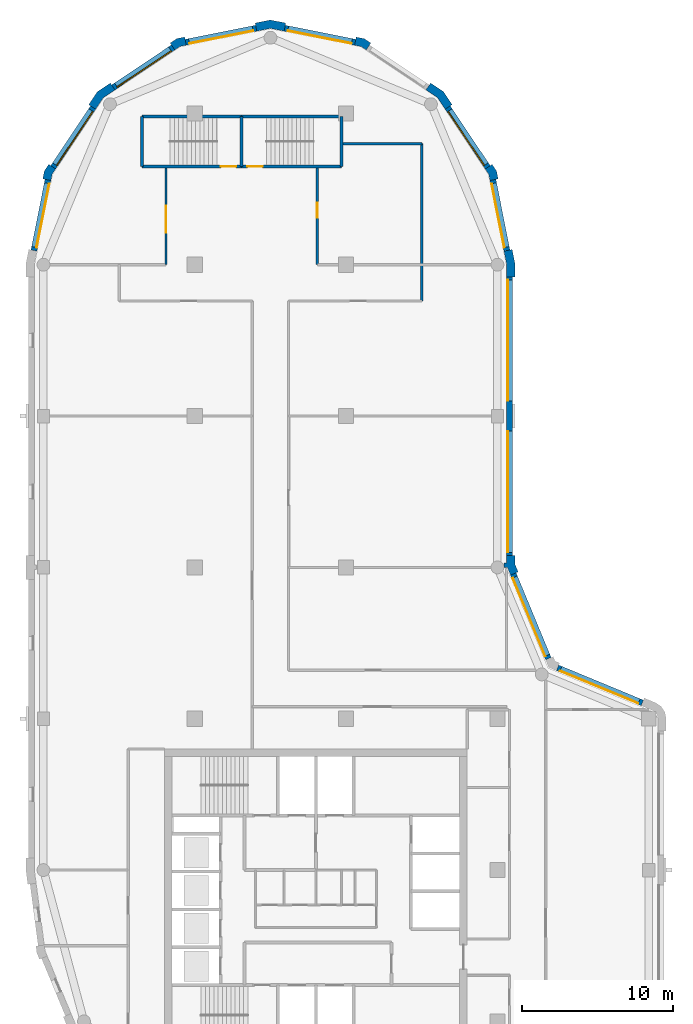
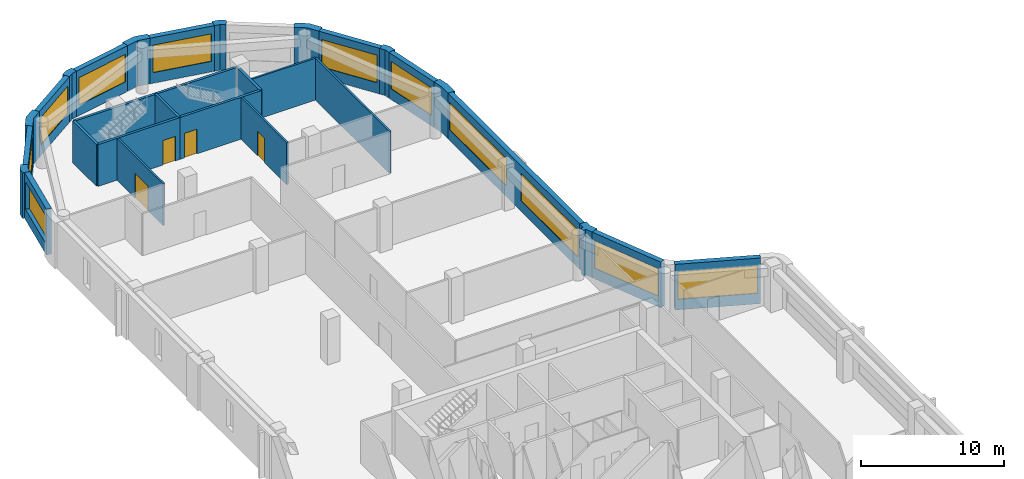
# One storey, part 5 of 8: 30 walls, 11 windows, 4 doors, 15 openings.
"""IFC4 building model written with IfcOpenShell, lengths in metres."""

from ifc_helpers import new_model, si_unit, direction, frame, frame_2d, origin, place, context, subcontext, project, spatial, polyline, rectangle, outline, extrude, material, layer, layer_set, type_object, element, fill, save


model = new_model("IFC4")

# Units and contexts
model_context = context("Model", 3, precision=1e-05, world=origin(), true_north=direction((0.0, 1.0)))
body_context = subcontext(model_context, "Body", "Model", "MODEL_VIEW")
ifc_project = project(units=[si_unit("LENGTHUNIT", "METRE"), si_unit("AREAUNIT", "SQUARE_METRE"), si_unit("VOLUMEUNIT", "CUBIC_METRE"), si_unit("PLANEANGLEUNIT", "RADIAN"), si_unit("MASSUNIT", "GRAM", prefix="KILO")], contexts=[model_context])

# Site, building, storey
site_placement = place(None, origin())
site = spatial("IfcSite", under=ifc_project, at=site_placement, CompositionType="ELEMENT")
building_placement = place(site_placement, origin())
building = spatial("IfcBuilding", under=site, at=building_placement, Name="Qaws Garden Tower", CompositionType="ELEMENT")
storey_placement = place(building_placement, frame((0.0, 0.0, 302.10009765625)))
storey = spatial("IfcBuildingStorey", under=building, at=storey_placement, Name="L73", CompositionType="ELEMENT", Elevation=302.10009765625)

# Wall, opening, window
ifc_material_1 = material(Name="Clay facing brick masonry", Category="masonry")
ifc_layer_1 = layer(ifc_material_1, 0.39990234375)
ifc_layer_set_1 = layer_set([ifc_layer_1], Name="Clay facing brick masonry")
wall_type_1 = type_object("IfcWallType", Name="Brick infill wall 400", PredefinedType="SOLIDWALL", material=ifc_layer_set_1)
wall_1_placement = place(storey_placement, frame((39.56689453125, 31.04541015625, 0.0), z_axis=(0.0, 0.0, 1.0), x_axis=(-0.923891000409, 0.382655745237, 0.0)))
wall_1 = element("IfcWall", 1, at=wall_1_placement, inside=storey, type_object=wall_type_1, Name="E-L73-infill-05", PredefinedType="SOLIDWALL", context=body_context, shape_type="SweptSolid", body=[
    extrude(rectangle(XDim=6.053466796875, YDim=0.39990234375, at=frame_2d((3.02685546875, 0.0))), origin(), (0.0, 0.0, 1.0), 3.89990234375),
])
opening_1_placement = place(wall_1_placement, frame((0.226806640625, 0.0, 0.89990234375)))
opening_1 = element("IfcOpeningElement", 2, at=opening_1_placement, cuts=wall_1, Name="Opening W04", PredefinedType="OPENING", context=body_context, shape_type="SweptSolid", body=[
    extrude(rectangle(XDim=5.60009765625, YDim=2.35009765625, at=frame_2d((2.800048828125, 1.175048828125))), frame((0.0, 0.2099609375, 0.0), z_axis=(0.0, -1.0, 0.0), x_axis=(1.0, 0.0, 0.0)), (0.0, 0.0, 1.0), 0.419921875),
])
ifc_material_2 = material(Name="Aluminium framed window, clear glazing", Category="aluminium")
window_type_1 = type_object("IfcWindowType", Name="Ribbon window 5600 x 2350", PartitioningType="DOUBLE_PANEL_VERTICAL", PredefinedType="WINDOW", material=ifc_material_2)
window_1_placement = place(opening_1_placement, origin())
window_1 = element("IfcWindow", 3, at=window_1_placement, inside=storey, type_object=window_type_1, Name="E-L73-window-05-0", OverallHeight=2.35009765625, OverallWidth=5.60009765625, PartitioningType="SINGLE_PANEL", PredefinedType="WINDOW", context=body_context, shape_type="SweptSolid", body=[
    extrude(rectangle(XDim=5.60009765625, YDim=2.35009765625, at=frame_2d((2.800048828125, 1.175048828125))), frame((0.0, 0.159912109375, 0.0), z_axis=(0.0, -1.0, 0.0), x_axis=(1.0, 0.0, 0.0)), (0.0, 0.0, 1.0), 0.06005859375),
])
fill(opening_1, window_1)

wall_2_placement = place(storey_placement, frame((33.36181640625, 33.97412109375, 0.0), z_axis=(0.0, 0.0, 1.0), x_axis=(-0.382655745237, 0.923891000409, 0.0)))
wall_2 = element("IfcWall", 4, at=wall_2_placement, inside=storey, type_object=wall_type_1, Name="E-L73-infill-06", PredefinedType="SOLIDWALL", context=body_context, shape_type="SweptSolid", body=[
    extrude(rectangle(XDim=6.053466796875, YDim=0.39990234375, at=frame_2d((3.02685546875, 0.0))), origin(), (0.0, 0.0, 1.0), 3.89990234375),
])
opening_2_placement = place(wall_2_placement, frame((0.226806640625, 0.0, 0.89990234375)))
opening_2 = element("IfcOpeningElement", 5, at=opening_2_placement, cuts=wall_2, Name="Opening W04", PredefinedType="OPENING", context=body_context, shape_type="SweptSolid", body=[
    extrude(rectangle(XDim=5.60009765625, YDim=2.35009765625, at=frame_2d((2.800048828125, 1.175048828125))), frame((0.0, 0.2099609375, 0.0), z_axis=(0.0, -1.0, 0.0), x_axis=(1.0, 0.0, 0.0)), (0.0, 0.0, 1.0), 0.419921875),
])
window_2_placement = place(opening_2_placement, origin())
window_2 = element("IfcWindow", 6, at=window_2_placement, inside=storey, type_object=window_type_1, Name="E-L73-window-06-0", OverallHeight=2.35009765625, OverallWidth=5.60009765625, PartitioningType="SINGLE_PANEL", PredefinedType="WINDOW", context=body_context, shape_type="SweptSolid", body=[
    extrude(rectangle(XDim=5.60009765625, YDim=2.35009765625, at=frame_2d((2.800048828125, 1.175048828125))), frame((0.0, 0.159912109375, 0.0), z_axis=(0.0, -1.0, 0.0), x_axis=(1.0, 0.0, 0.0)), (0.0, 0.0, 1.0), 0.06005859375),
])
fill(opening_2, window_2)

# Wall, openings, windows
wall_3_placement = place(storey_placement, frame((30.800048828125, 40.800048828125, 0.0), z_axis=(0.0, 0.0, 1.0), x_axis=(0.0, 1.0, 0.0)))
wall_3 = element("IfcWall", 7, at=wall_3_placement, inside=storey, type_object=wall_type_1, Name="E-L73-infill-07", PredefinedType="SOLIDWALL", context=body_context, shape_type="SweptSolid", body=[
    extrude(rectangle(XDim=18.39990234375, YDim=0.39990234375, at=frame_2d((9.199951171875, 0.0))), origin(), (0.0, 0.0, 1.0), 3.89990234375),
])
opening_3_placement = place(wall_3_placement, frame((0.199951171875, 0.0, 0.89990234375)))
opening_3 = element("IfcOpeningElement", 8, at=opening_3_placement, cuts=wall_3, Name="Opening W01", PredefinedType="OPENING", context=body_context, shape_type="SweptSolid", body=[
    extrude(rectangle(XDim=8.0, YDim=2.35009765625, at=frame_2d((4.0, 1.175048828125))), frame((0.0, 0.2099609375, 0.0), z_axis=(0.0, -1.0, 0.0), x_axis=(1.0, 0.0, 0.0)), (0.0, 0.0, 1.0), 0.419921875),
])
opening_4_placement = place(wall_3_placement, frame((10.199951171875, 0.0, 0.89990234375)))
opening_4 = element("IfcOpeningElement", 9, at=opening_4_placement, cuts=wall_3, Name="Opening W01", PredefinedType="OPENING", context=body_context, shape_type="SweptSolid", body=[
    extrude(rectangle(XDim=8.0, YDim=2.35009765625, at=frame_2d((4.0, 1.175048828125))), frame((0.0, 0.2099609375, 0.0), z_axis=(0.0, -1.0, 0.0), x_axis=(1.0, 0.0, 0.0)), (0.0, 0.0, 1.0), 0.419921875),
])
ifc_material_3 = material(Name="Aluminium framed window, clear glazing", Category="aluminium")
window_type_2 = type_object("IfcWindowType", Name="Ribbon window 8000 x 2350", PartitioningType="DOUBLE_PANEL_VERTICAL", PredefinedType="WINDOW", material=ifc_material_3)
window_3_placement = place(opening_3_placement, origin())
window_3 = element("IfcWindow", 10, at=window_3_placement, inside=storey, type_object=window_type_2, Name="E-L73-window-07-0", OverallHeight=2.35009765625, OverallWidth=8.0, PartitioningType="SINGLE_PANEL", PredefinedType="WINDOW", context=body_context, shape_type="SweptSolid", body=[
    extrude(rectangle(XDim=8.0, YDim=2.35009765625, at=frame_2d((4.0, 1.175048828125))), frame((0.0, 0.159912109375, 0.0), z_axis=(0.0, -1.0, 0.0), x_axis=(1.0, 0.0, 0.0)), (0.0, 0.0, 1.0), 0.06005859375),
])
fill(opening_3, window_3)
window_4_placement = place(opening_4_placement, origin())
window_4 = element("IfcWindow", 11, at=window_4_placement, inside=storey, type_object=window_type_2, Name="E-L73-window-08-0", OverallHeight=2.35009765625, OverallWidth=8.0, PartitioningType="SINGLE_PANEL", PredefinedType="WINDOW", context=body_context, shape_type="SweptSolid", body=[
    extrude(rectangle(XDim=8.0, YDim=2.35009765625, at=frame_2d((4.0, 1.175048828125))), frame((0.0, 0.159912109375, 0.0), z_axis=(0.0, -1.0, 0.0), x_axis=(1.0, 0.0, 0.0)), (0.0, 0.0, 1.0), 0.06005859375),
])
fill(opening_4, window_4)

# Wall, opening, window
wall_4_placement = place(storey_placement, frame((30.628662109375, 60.940673828125, 0.0), z_axis=(0.0, 0.0, 1.0), x_axis=(-0.195098533057, 0.98078364709, 0.0)))
wall_4 = element("IfcWall", 12, at=wall_4_placement, inside=storey, type_object=wall_type_1, Name="E-L73-infill-09", PredefinedType="SOLIDWALL", context=body_context, shape_type="SweptSolid", body=[
    extrude(rectangle(XDim=4.752685546875, YDim=0.39990234375, at=frame_2d((2.37646484375, 0.0))), origin(), (0.0, 0.0, 1.0), 3.89990234375),
])
opening_5_placement = place(wall_4_placement, frame((0.226318359375, 0.0, 0.89990234375)))
opening_5 = element("IfcOpeningElement", 13, at=opening_5_placement, cuts=wall_4, Name="Opening W06", PredefinedType="OPENING", context=body_context, shape_type="SweptSolid", body=[
    extrude(rectangle(XDim=4.300048828125, YDim=2.35009765625, at=frame_2d((2.14990234375, 1.175048828125))), frame((0.0, 0.2099609375, 0.0), z_axis=(0.0, -1.0, 0.0), x_axis=(1.0, 0.0, 0.0)), (0.0, 0.0, 1.0), 0.419921875),
])
ifc_material_4 = material(Name="Aluminium framed window, clear glazing", Category="aluminium")
window_type_3 = type_object("IfcWindowType", Name="Ribbon window 4300 x 2350", PartitioningType="DOUBLE_PANEL_VERTICAL", PredefinedType="WINDOW", material=ifc_material_4)
window_5_placement = place(opening_5_placement, origin())
window_5 = element("IfcWindow", 14, at=window_5_placement, inside=storey, type_object=window_type_3, Name="E-L73-window-09-0", OverallHeight=2.35009765625, OverallWidth=4.300048828125, PartitioningType="SINGLE_PANEL", PredefinedType="WINDOW", context=body_context, shape_type="SweptSolid", body=[
    extrude(rectangle(XDim=4.300048828125, YDim=2.35009765625, at=frame_2d((2.14990234375, 1.175048828125))), frame((0.0, 0.159912109375, 0.0), z_axis=(0.0, -1.0, 0.0), x_axis=(1.0, 0.0, 0.0)), (0.0, 0.0, 1.0), 0.06005859375),
])
fill(opening_5, window_5)

wall_5_placement = place(storey_placement, frame((29.356689453125, 66.43408203125, 0.0), z_axis=(0.0, 0.0, 1.0), x_axis=(-0.555541552266, 0.831488775454, 0.0)))
wall_5 = element("IfcWall", 15, at=wall_5_placement, inside=storey, type_object=wall_type_1, Name="E-L73-infill-10", PredefinedType="SOLIDWALL", context=body_context, shape_type="SweptSolid", body=[
    extrude(rectangle(XDim=4.752685546875, YDim=0.39990234375, at=frame_2d((2.37646484375, 0.0))), origin(), (0.0, 0.0, 1.0), 3.89990234375),
])
opening_6_placement = place(wall_5_placement, frame((0.226318359375, 0.0, 0.89990234375)))
opening_6 = element("IfcOpeningElement", 16, at=opening_6_placement, cuts=wall_5, Name="Opening W06", PredefinedType="OPENING", context=body_context, shape_type="SweptSolid", body=[
    extrude(rectangle(XDim=4.300048828125, YDim=2.35009765625, at=frame_2d((2.14990234375, 1.175048828125))), frame((0.0, 0.2099609375, 0.0), z_axis=(0.0, -1.0, 0.0), x_axis=(1.0, 0.0, 0.0)), (0.0, 0.0, 1.0), 0.419921875),
])
window_6_placement = place(opening_6_placement, origin())
window_6 = element("IfcWindow", 17, at=window_6_placement, inside=storey, type_object=window_type_3, Name="E-L73-window-10-0", OverallHeight=2.35009765625, OverallWidth=4.300048828125, PartitioningType="SINGLE_PANEL", PredefinedType="WINDOW", context=body_context, shape_type="SweptSolid", body=[
    extrude(rectangle(XDim=4.300048828125, YDim=2.35009765625, at=frame_2d((2.14990234375, 1.175048828125))), frame((0.0, 0.159912109375, 0.0), z_axis=(0.0, -1.0, 0.0), x_axis=(1.0, 0.0, 0.0)), (0.0, 0.0, 1.0), 0.06005859375),
])
fill(opening_6, window_6)

wall_6_placement = place(storey_placement, frame((20.60205078125, 74.701416015625, 0.0), z_axis=(0.0, 0.0, 1.0), x_axis=(-0.98078364709, 0.195098533057, 0.0)))
wall_6 = element("IfcWall", 18, at=wall_6_placement, inside=storey, type_object=wall_type_1, Name="E-L73-infill-12", PredefinedType="SOLIDWALL", context=body_context, shape_type="SweptSolid", body=[
    extrude(rectangle(XDim=4.752685546875, YDim=0.39990234375, at=frame_2d((2.37646484375, 0.0))), origin(), (0.0, 0.0, 1.0), 3.89990234375),
])
opening_7_placement = place(wall_6_placement, frame((0.226318359375, 0.0, 0.89990234375)))
opening_7 = element("IfcOpeningElement", 19, at=opening_7_placement, cuts=wall_6, Name="Opening W06", PredefinedType="OPENING", context=body_context, shape_type="SweptSolid", body=[
    extrude(rectangle(XDim=4.300048828125, YDim=2.35009765625, at=frame_2d((2.14990234375, 1.175048828125))), frame((0.0, 0.2099609375, 0.0), z_axis=(0.0, -1.0, 0.0), x_axis=(1.0, 0.0, 0.0)), (0.0, 0.0, 1.0), 0.419921875),
])
window_7_placement = place(opening_7_placement, origin())
window_7 = element("IfcWindow", 20, at=window_7_placement, inside=storey, type_object=window_type_3, Name="E-L73-window-12-0", OverallHeight=2.35009765625, OverallWidth=4.300048828125, PartitioningType="SINGLE_PANEL", PredefinedType="WINDOW", context=body_context, shape_type="SweptSolid", body=[
    extrude(rectangle(XDim=4.300048828125, YDim=2.35009765625, at=frame_2d((2.14990234375, 1.175048828125))), frame((0.0, 0.159912109375, 0.0), z_axis=(0.0, -1.0, 0.0), x_axis=(1.0, 0.0, 0.0)), (0.0, 0.0, 1.0), 0.06005859375),
])
fill(opening_7, window_7)

wall_7_placement = place(storey_placement, frame((14.059326171875, 75.628662109375, 0.0), z_axis=(0.0, 0.0, 1.0), x_axis=(-0.98078364709, -0.195098533057, 0.0)))
wall_7 = element("IfcWall", 21, at=wall_7_placement, inside=storey, type_object=wall_type_1, Name="E-L73-infill-13", PredefinedType="SOLIDWALL", context=body_context, shape_type="SweptSolid", body=[
    extrude(rectangle(XDim=4.752685546875, YDim=0.39990234375, at=frame_2d((2.37646484375, 0.0))), origin(), (0.0, 0.0, 1.0), 3.89990234375),
])
opening_8_placement = place(wall_7_placement, frame((0.226318359375, 0.0, 0.89990234375)))
opening_8 = element("IfcOpeningElement", 22, at=opening_8_placement, cuts=wall_7, Name="Opening W06", PredefinedType="OPENING", context=body_context, shape_type="SweptSolid", body=[
    extrude(rectangle(XDim=4.300048828125, YDim=2.35009765625, at=frame_2d((2.14990234375, 1.175048828125))), frame((0.0, 0.2099609375, 0.0), z_axis=(0.0, -1.0, 0.0), x_axis=(1.0, 0.0, 0.0)), (0.0, 0.0, 1.0), 0.419921875),
])
window_8_placement = place(opening_8_placement, origin())
window_8 = element("IfcWindow", 23, at=window_8_placement, inside=storey, type_object=window_type_3, Name="E-L73-window-13-0", OverallHeight=2.35009765625, OverallWidth=4.300048828125, PartitioningType="SINGLE_PANEL", PredefinedType="WINDOW", context=body_context, shape_type="SweptSolid", body=[
    extrude(rectangle(XDim=4.300048828125, YDim=2.35009765625, at=frame_2d((2.14990234375, 1.175048828125))), frame((0.0, 0.159912109375, 0.0), z_axis=(0.0, -1.0, 0.0), x_axis=(1.0, 0.0, 0.0)), (0.0, 0.0, 1.0), 0.06005859375),
])
fill(opening_8, window_8)

wall_8_placement = place(storey_placement, frame((8.56591796875, 74.356689453125, 0.0), z_axis=(0.0, 0.0, 1.0), x_axis=(-0.831488775454, -0.555541552266, 0.0)))
wall_8 = element("IfcWall", 24, at=wall_8_placement, inside=storey, type_object=wall_type_1, Name="E-L73-infill-14", PredefinedType="SOLIDWALL", context=body_context, shape_type="SweptSolid", body=[
    extrude(rectangle(XDim=4.752685546875, YDim=0.39990234375, at=frame_2d((2.37646484375, 0.0))), origin(), (0.0, 0.0, 1.0), 3.89990234375),
])
opening_9_placement = place(wall_8_placement, frame((0.226318359375, 0.0, 0.89990234375)))
opening_9 = element("IfcOpeningElement", 25, at=opening_9_placement, cuts=wall_8, Name="Opening W06", PredefinedType="OPENING", context=body_context, shape_type="SweptSolid", body=[
    extrude(rectangle(XDim=4.300048828125, YDim=2.35009765625, at=frame_2d((2.14990234375, 1.175048828125))), frame((0.0, 0.2099609375, 0.0), z_axis=(0.0, -1.0, 0.0), x_axis=(1.0, 0.0, 0.0)), (0.0, 0.0, 1.0), 0.419921875),
])
window_9_placement = place(opening_9_placement, origin())
window_9 = element("IfcWindow", 26, at=window_9_placement, inside=storey, type_object=window_type_3, Name="E-L73-window-14-0", OverallHeight=2.35009765625, OverallWidth=4.300048828125, PartitioningType="SINGLE_PANEL", PredefinedType="WINDOW", context=body_context, shape_type="SweptSolid", body=[
    extrude(rectangle(XDim=4.300048828125, YDim=2.35009765625, at=frame_2d((2.14990234375, 1.175048828125))), frame((0.0, 0.159912109375, 0.0), z_axis=(0.0, -1.0, 0.0), x_axis=(1.0, 0.0, 0.0)), (0.0, 0.0, 1.0), 0.06005859375),
])
fill(opening_9, window_9)

wall_9_placement = place(storey_placement, frame((3.28369140625, 70.385986328125, 0.0), z_axis=(0.0, 0.0, 1.0), x_axis=(-0.555541552266, -0.831488775454, 0.0)))
wall_9 = element("IfcWall", 27, at=wall_9_placement, inside=storey, type_object=wall_type_1, Name="E-L73-infill-15", PredefinedType="SOLIDWALL", context=body_context, shape_type="SweptSolid", body=[
    extrude(rectangle(XDim=4.752685546875, YDim=0.39990234375, at=frame_2d((2.37646484375, 0.0))), origin(), (0.0, 0.0, 1.0), 3.89990234375),
])
opening_10_placement = place(wall_9_placement, frame((0.226318359375, 0.0, 0.89990234375)))
opening_10 = element("IfcOpeningElement", 28, at=opening_10_placement, cuts=wall_9, Name="Opening W06", PredefinedType="OPENING", context=body_context, shape_type="SweptSolid", body=[
    extrude(rectangle(XDim=4.300048828125, YDim=2.35009765625, at=frame_2d((2.14990234375, 1.175048828125))), frame((0.0, 0.2099609375, 0.0), z_axis=(0.0, -1.0, 0.0), x_axis=(1.0, 0.0, 0.0)), (0.0, 0.0, 1.0), 0.419921875),
])
window_10_placement = place(opening_10_placement, origin())
window_10 = element("IfcWindow", 29, at=window_10_placement, inside=storey, type_object=window_type_3, Name="E-L73-window-15-0", OverallHeight=2.35009765625, OverallWidth=4.300048828125, PartitioningType="SINGLE_PANEL", PredefinedType="WINDOW", context=body_context, shape_type="SweptSolid", body=[
    extrude(rectangle(XDim=4.300048828125, YDim=2.35009765625, at=frame_2d((2.14990234375, 1.175048828125))), frame((0.0, 0.159912109375, 0.0), z_axis=(0.0, -1.0, 0.0), x_axis=(1.0, 0.0, 0.0)), (0.0, 0.0, 1.0), 0.06005859375),
])
fill(opening_10, window_10)

wall_10_placement = place(storey_placement, frame((0.298583984375, 65.60205078125, 0.0), z_axis=(0.0, 0.0, 1.0), x_axis=(-0.195098533057, -0.98078364709, 0.0)))
wall_10 = element("IfcWall", 30, at=wall_10_placement, inside=storey, type_object=wall_type_1, Name="E-L73-infill-16", PredefinedType="SOLIDWALL", context=body_context, shape_type="SweptSolid", body=[
    extrude(rectangle(XDim=4.752685546875, YDim=0.39990234375, at=frame_2d((2.37646484375, 0.0))), origin(), (0.0, 0.0, 1.0), 3.89990234375),
])
opening_11_placement = place(wall_10_placement, frame((0.226318359375, 0.0, 0.89990234375)))
opening_11 = element("IfcOpeningElement", 31, at=opening_11_placement, cuts=wall_10, Name="Opening W06", PredefinedType="OPENING", context=body_context, shape_type="SweptSolid", body=[
    extrude(rectangle(XDim=4.300048828125, YDim=2.35009765625, at=frame_2d((2.14990234375, 1.175048828125))), frame((0.0, 0.2099609375, 0.0), z_axis=(0.0, -1.0, 0.0), x_axis=(1.0, 0.0, 0.0)), (0.0, 0.0, 1.0), 0.419921875),
])
window_11_placement = place(opening_11_placement, origin())
window_11 = element("IfcWindow", 32, at=window_11_placement, inside=storey, type_object=window_type_3, Name="E-L73-window-16-0", OverallHeight=2.35009765625, OverallWidth=4.300048828125, PartitioningType="SINGLE_PANEL", PredefinedType="WINDOW", context=body_context, shape_type="SweptSolid", body=[
    extrude(rectangle(XDim=4.300048828125, YDim=2.35009765625, at=frame_2d((2.14990234375, 1.175048828125))), frame((0.0, 0.159912109375, 0.0), z_axis=(0.0, -1.0, 0.0), x_axis=(1.0, 0.0, 0.0)), (0.0, 0.0, 1.0), 0.06005859375),
])
fill(opening_11, window_11)

# Walls
ifc_material_5 = material(Name="Clay facing brick masonry", Category="masonry")
ifc_layer_2 = layer(ifc_material_5, 0.550048828125)
ifc_layer_set_2 = layer_set([ifc_layer_2], Name="Clay facing brick masonry")
wall_type_2 = type_object("IfcWallType", Name="Brick kink pier 550 x 600", PredefinedType="SOLIDWALL", material=ifc_layer_set_2)
placement = place(storey_placement, origin())
element("IfcWall", 33, at=placement, inside=storey, type_object=wall_type_2, Name="E-L73-pier-10", PredefinedType="SOLIDWALL", context=body_context, shape_type="SweptSolid", body=[
    extrude(outline(polyline([(29.8974609375, 65.64111328125), (30.044677734375, 65.67041015625), (29.94140625, 66.18896484375), (29.647705078125, 66.628662109375), (29.52294921875, 66.545166015625), (29.1904296875, 66.322998046875), (29.42333984375, 65.974365234375), (29.505126953125, 65.56298828125), (29.8974609375, 65.64111328125)])), origin(), (0.0, 0.0, 1.0), 3.89990234375),
])
element("IfcWall", 34, at=placement, inside=storey, type_object=wall_type_2, Name="E-L73-pier-12", PredefinedType="SOLIDWALL", context=body_context, shape_type="SweptSolid", body=[
    extrude(outline(polyline([(21.545166015625, 74.52294921875), (21.628662109375, 74.647705078125), (21.18896484375, 74.94140625), (20.67041015625, 75.044677734375), (20.64111328125, 74.8974609375), (20.56298828125, 74.505126953125), (20.974365234375, 74.42333984375), (21.322998046875, 74.1904296875), (21.545166015625, 74.52294921875)])), origin(), (0.0, 0.0, 1.0), 3.89990234375),
])
element("IfcWall", 35, at=placement, inside=storey, type_object=wall_type_2, Name="E-L73-pier-14", PredefinedType="SOLIDWALL", context=body_context, shape_type="SweptSolid", body=[
    extrude(outline(polyline([(9.35888671875, 74.8974609375), (9.32958984375, 75.044677734375), (8.81103515625, 74.94140625), (8.371337890625, 74.647705078125), (8.454833984375, 74.52294921875), (8.677001953125, 74.1904296875), (9.025634765625, 74.42333984375), (9.43701171875, 74.505126953125), (9.35888671875, 74.8974609375)])), origin(), (0.0, 0.0, 1.0), 3.89990234375),
])
element("IfcWall", 36, at=placement, inside=storey, type_object=wall_type_2, Name="E-L73-pier-16", PredefinedType="SOLIDWALL", context=body_context, shape_type="SweptSolid", body=[
    extrude(outline(polyline([(0.47705078125, 66.545166015625), (0.352294921875, 66.628662109375), (0.05859375, 66.18896484375), (-0.044677734375, 65.67041015625), (0.1025390625, 65.64111328125), (0.494873046875, 65.56298828125), (0.57666015625, 65.974365234375), (0.8095703125, 66.322998046875), (0.47705078125, 66.545166015625)])), origin(), (0.0, 0.0, 1.0), 3.89990234375),
])
ifc_material_6 = material(Name="Clay facing brick masonry", Category="masonry")
ifc_layer_3 = layer(ifc_material_6, 0.550048828125)
ifc_layer_set_3 = layer_set([ifc_layer_3], Name="Clay facing brick masonry")
wall_type_3 = type_object("IfcWallType", Name="Brick pier 550 x 1600", PredefinedType="SOLIDWALL", material=ifc_layer_set_3)
element("IfcWall", 37, at=placement, inside=storey, type_object=wall_type_3, Name="E-L73-pier-07", PredefinedType="SOLIDWALL", context=body_context, shape_type="SweptSolid", body=[
    extrude(outline(polyline([(30.6201171875, 39.995361328125), (30.6201171875, 40.071044921875), (30.860595703125, 39.490478515625), (31.22998046875, 39.6435546875), (31.36865234375, 39.700927734375), (31.14990234375, 40.228759765625), (31.14990234375, 40.800048828125), (31.0, 40.800048828125), (30.60009765625, 40.800048828125), (30.60009765625, 40.29541015625), (30.425048828125, 40.29541015625), (30.425048828125, 39.995361328125), (30.6201171875, 39.995361328125)])), origin(), (0.0, 0.0, 1.0), 3.89990234375),
])
element("IfcWall", 38, at=placement, inside=storey, type_object=wall_type_3, Name="E-L73-pier-09", PredefinedType="SOLIDWALL", context=body_context, shape_type="SweptSolid", body=[
    extrude(outline(polyline([(31.0, 59.199951171875), (31.14990234375, 59.199951171875), (31.14990234375, 60.11328125), (30.971923828125, 61.009033203125), (30.82470703125, 60.979736328125), (30.432373046875, 60.901611328125), (30.60009765625, 60.05908203125), (30.60009765625, 59.199951171875), (31.0, 59.199951171875)])), origin(), (0.0, 0.0, 1.0), 3.89990234375),
])
element("IfcWall", 39, at=placement, inside=storey, type_object=wall_type_3, Name="E-L73-pier-11", PredefinedType="SOLIDWALL", context=body_context, shape_type="SweptSolid", body=[
    extrude(outline(polyline([(26.882568359375, 70.4970703125), (27.00732421875, 70.580322265625), (26.435791015625, 71.435791015625), (25.580322265625, 72.00732421875), (25.4970703125, 71.882568359375), (25.274658203125, 71.550048828125), (26.0390625, 71.0390625), (26.550048828125, 70.274658203125), (26.882568359375, 70.4970703125)])), origin(), (0.0, 0.0, 1.0), 3.89990234375),
])
element("IfcWall", 40, at=placement, inside=storey, type_object=wall_type_3, Name="E-L73-pier-13", PredefinedType="SOLIDWALL", context=body_context, shape_type="SweptSolid", body=[
    extrude(outline(polyline([(15.979736328125, 75.82470703125), (16.009033203125, 75.971923828125), (15.0, 76.172607421875), (13.990966796875, 75.971923828125), (14.020263671875, 75.82470703125), (14.098388671875, 75.432373046875), (15.0, 75.61181640625), (15.901611328125, 75.432373046875), (15.979736328125, 75.82470703125)])), origin(), (0.0, 0.0, 1.0), 3.89990234375),
])
element("IfcWall", 41, at=placement, inside=storey, type_object=wall_type_3, Name="E-L73-pier-15", PredefinedType="SOLIDWALL", context=body_context, shape_type="SweptSolid", body=[
    extrude(outline(polyline([(4.5029296875, 71.882568359375), (4.419677734375, 72.00732421875), (3.564208984375, 71.435791015625), (2.99267578125, 70.580322265625), (3.117431640625, 70.4970703125), (3.449951171875, 70.274658203125), (3.9609375, 71.0390625), (4.725341796875, 71.550048828125), (4.5029296875, 71.882568359375)])), origin(), (0.0, 0.0, 1.0), 3.89990234375),
])

# Wall, opening, door
ifc_material_7 = material(Name="Concrete C60", Category="concrete")
ifc_layer_4 = layer(ifc_material_7, 0.199951171875)
ifc_layer_set_4 = layer_set([ifc_layer_4], Name="Concrete C60")
wall_type_4 = type_object("IfcWallType", Name="Core shaft wall 200 C60", PredefinedType="SHEAR", material=ifc_layer_set_4)
wall_20_placement = place(storey_placement, frame((6.5, 66.5, 0.0), z_axis=(0.0, 0.0, 1.0), x_axis=(1.0, 0.0, 0.0)))
wall_20 = element("IfcWall", 42, at=wall_20_placement, inside=storey, type_object=wall_type_4, Name="Shaft wall", PredefinedType="SHEAR", context=body_context, shape_type="SweptSolid", body=[
    extrude(rectangle(XDim=6.60009765625, YDim=0.199951171875, at=frame_2d((3.300048828125, 0.0))), origin(), (0.0, 0.0, 1.0), 3.579833984375),
])
opening_12_placement = place(wall_20_placement, frame((5.22509765625, 0.0, 0.0)))
opening_12 = element("IfcOpeningElement", 43, at=opening_12_placement, cuts=wall_20, Name="Opening SD13", PredefinedType="OPENING", context=body_context, shape_type="SweptSolid", body=[
    extrude(rectangle(XDim=1.0, YDim=2.10009765625, at=frame_2d((0.5, 1.050048828125))), frame((0.0, 0.10986328125, 0.0), z_axis=(0.0, -1.0, 0.0), x_axis=(1.0, 0.0, 0.0)), (0.0, 0.0, 1.0), 0.219970703125),
])
ifc_material_8 = material(Name="Steel S235", Category="steel")
door_type_1 = type_object("IfcDoorType", Name="Stair door 1000x2100", OperationType="SINGLE_SWING_RIGHT", PredefinedType="DOOR", material=ifc_material_8)
door_1_placement = place(opening_12_placement, origin())
door_1 = element("IfcDoor", 44, at=door_1_placement, inside=storey, type_object=door_type_1, Name="Stair 6 door", OperationType="SINGLE_SWING_RIGHT", OverallHeight=2.10009765625, OverallWidth=1.0, PredefinedType="DOOR", context=body_context, shape_type="SweptSolid", body=[
    extrude(rectangle(XDim=1.0, YDim=2.10009765625, at=frame_2d((0.5, 1.050048828125))), frame((0.0, 0.02490234375, 0.0), z_axis=(0.0, -1.0, 0.0), x_axis=(1.0, 0.0, 0.0)), (0.0, 0.0, 1.0), 0.050048828125),
])
fill(opening_12, door_1)

wall_21_placement = place(storey_placement, frame((13.10009765625, 66.5, 0.0), z_axis=(0.0, 0.0, 1.0), x_axis=(1.0, 0.0, 0.0)))
wall_21 = element("IfcWall", 45, at=wall_21_placement, inside=storey, type_object=wall_type_4, Name="Shaft wall", PredefinedType="SHEAR", context=body_context, shape_type="SweptSolid", body=[
    extrude(rectangle(XDim=6.599853515625, YDim=0.199951171875, at=frame_2d((3.2998046875, 0.0))), origin(), (0.0, 0.0, 1.0), 3.579833984375),
])
opening_13_placement = place(wall_21_placement, frame((0.375, 0.0, 0.0)))
opening_13 = element("IfcOpeningElement", 46, at=opening_13_placement, cuts=wall_21, Name="Opening SD14", PredefinedType="OPENING", context=body_context, shape_type="SweptSolid", body=[
    extrude(rectangle(XDim=1.0, YDim=2.10009765625, at=frame_2d((0.5, 1.050048828125))), frame((0.0, 0.10986328125, 0.0), z_axis=(0.0, -1.0, 0.0), x_axis=(1.0, 0.0, 0.0)), (0.0, 0.0, 1.0), 0.219970703125),
])
door_2_placement = place(opening_13_placement, origin())
door_2 = element("IfcDoor", 47, at=door_2_placement, inside=storey, type_object=door_type_1, Name="Stair 7 door", OperationType="SINGLE_SWING_LEFT", OverallHeight=2.10009765625, OverallWidth=1.0, PredefinedType="DOOR", context=body_context, shape_type="SweptSolid", body=[
    extrude(rectangle(XDim=1.0, YDim=2.10009765625, at=frame_2d((0.5, 1.050048828125))), frame((0.0, 0.02490234375, 0.0), z_axis=(0.0, -1.0, 0.0), x_axis=(1.0, 0.0, 0.0)), (0.0, 0.0, 1.0), 0.050048828125),
])
fill(opening_13, door_2)

# Walls
wall_22_placement = place(storey_placement, frame((6.5, 69.800048828125, 0.0), z_axis=(0.0, 0.0, 1.0), x_axis=(1.0, 0.0, 0.0)))
element("IfcWall", 48, at=wall_22_placement, inside=storey, type_object=wall_type_4, Name="Shaft wall", PredefinedType="SHEAR", context=body_context, shape_type="SweptSolid", body=[
    extrude(rectangle(XDim=6.60009765625, YDim=0.199951171875, at=frame_2d((3.300048828125, 0.0))), origin(), (0.0, 0.0, 1.0), 3.579833984375),
])
wall_23_placement = place(storey_placement, frame((13.10009765625, 69.800048828125, 0.0), z_axis=(0.0, 0.0, 1.0), x_axis=(1.0, 0.0, 0.0)))
element("IfcWall", 49, at=wall_23_placement, inside=storey, type_object=wall_type_4, Name="Shaft wall", PredefinedType="SHEAR", context=body_context, shape_type="SweptSolid", body=[
    extrude(rectangle(XDim=6.599853515625, YDim=0.199951171875, at=frame_2d((3.2998046875, 0.0))), origin(), (0.0, 0.0, 1.0), 3.579833984375),
])
for number, where, z_axis, x_axis, name in (
    (50, (6.5, 66.5, 0.0), (0.0, 0.0, 1.0), (0.0, 1.0, 0.0), "Shaft wall"),
    (51, (13.10009765625, 66.5, 0.0), (0.0, 0.0, 1.0), (0.0, 1.0, 0.0), "Shaft wall"),
    (52, (19.699951171875, 66.5, 0.0), (0.0, 0.0, 1.0), (0.0, 1.0, 0.0), "Shaft wall"),
):
    element("IfcWall", number, at=place(storey_placement, frame(where, z_axis=z_axis, x_axis=x_axis)), inside=storey, type_object=wall_type_4, Name=name, PredefinedType="SHEAR", context=body_context, shape_type="SweptSolid", body=[
        extrude(rectangle(XDim=3.300048828125, YDim=0.199951171875, at=frame_2d((1.64990234375, 0.0))), origin(), (0.0, 0.0, 1.0), 3.579833984375),
    ])

# Wall, opening, door
ifc_material_9 = material(Name="Gypsum board partition")
ifc_layer_5 = layer(ifc_material_9, 0.14990234375)
ifc_layer_set_5 = layer_set([ifc_layer_5], Name="Gypsum board partition")
wall_type_5 = type_object("IfcWallType", Name="PARTITION 150 EI 60", PredefinedType="PARTITIONING", material=ifc_layer_set_5)
wall_24_placement = place(storey_placement, frame((8.10009765625, 60.0, 0.0), z_axis=(0.0, 0.0, 1.0), x_axis=(0.0, 1.0, 0.0)))
wall_24 = element("IfcWall", 53, at=wall_24_placement, inside=storey, type_object=wall_type_5, Name="O-L73-wall-004", PredefinedType="PARTITIONING", context=body_context, shape_type="SweptSolid", body=[
    extrude(rectangle(XDim=6.39990234375, YDim=0.14990234375, at=frame_2d((3.199951171875, 0.0))), origin(), (0.0, 0.0, 1.0), 3.579833984375),
])
opening_14_placement = place(wall_24_placement, frame((2.10009765625, 0.0, 0.0)))
opening_14 = element("IfcOpeningElement", 54, at=opening_14_placement, cuts=wall_24, Name="Opening C606", PredefinedType="OPENING", context=body_context, shape_type="SweptSolid", body=[
    extrude(rectangle(XDim=1.800048828125, YDim=2.10009765625, at=frame_2d((0.89990234375, 1.050048828125))), frame((0.0, 0.0849609375, 0.0), z_axis=(0.0, -1.0, 0.0), x_axis=(1.0, 0.0, 0.0)), (0.0, 0.0, 1.0), 0.169921875),
])
ifc_material_10 = material(Name="Timber door leaf", Category="wood")
door_type_2 = type_object("IfcDoorType", Name="DOUBLE DOOR 1800 X 2100", OperationType="DOUBLE_DOOR_SINGLE_SWING", PredefinedType="DOOR", material=ifc_material_10)
door_3_placement = place(opening_14_placement, origin())
door_3 = element("IfcDoor", 55, at=door_3_placement, inside=storey, type_object=door_type_2, Name="O-L73-door-006", OperationType="DOUBLE_DOOR_SINGLE_SWING", OverallHeight=2.10009765625, OverallWidth=1.800048828125, PredefinedType="DOOR", context=body_context, shape_type="SweptSolid", body=[
    extrude(rectangle(XDim=1.800048828125, YDim=2.10009765625, at=frame_2d((0.89990234375, 1.050048828125))), frame((0.0, 0.02490234375, 0.0), z_axis=(0.0, -1.0, 0.0), x_axis=(1.0, 0.0, 0.0)), (0.0, 0.0, 1.0), 0.050048828125),
])
fill(opening_14, door_3)

wall_25_placement = place(storey_placement, frame((18.10009765625, 60.0, 0.0), z_axis=(0.0, 0.0, 1.0), x_axis=(0.0, 1.0, 0.0)))
wall_25 = element("IfcWall", 56, at=wall_25_placement, inside=storey, type_object=wall_type_5, Name="O-L73-wall-009", PredefinedType="PARTITIONING", context=body_context, shape_type="SweptSolid", body=[
    extrude(rectangle(XDim=6.39990234375, YDim=0.14990234375, at=frame_2d((3.199951171875, 0.0))), origin(), (0.0, 0.0, 1.0), 3.579833984375),
])
opening_15_placement = place(wall_25_placement, frame((3.10009765625, 0.0, 0.0)))
opening_15 = element("IfcOpeningElement", 57, at=opening_15_placement, cuts=wall_25, Name="Opening C607", PredefinedType="OPENING", context=body_context, shape_type="SweptSolid", body=[
    extrude(rectangle(XDim=1.0, YDim=2.10009765625, at=frame_2d((0.5, 1.050048828125))), frame((0.0, 0.0849609375, 0.0), z_axis=(0.0, -1.0, 0.0), x_axis=(1.0, 0.0, 0.0)), (0.0, 0.0, 1.0), 0.169921875),
])
ifc_material_11 = material(Name="Timber door leaf", Category="wood")
door_type_3 = type_object("IfcDoorType", Name="TENANCY ENTRANCE DOOR 1000 X 2100", OperationType="SINGLE_SWING_LEFT", PredefinedType="DOOR", material=ifc_material_11)
door_4_placement = place(opening_15_placement, frame((1.0, 0.0, 0.0), z_axis=(0.0, 0.0, 1.0), x_axis=(-1.0, 0.0, 0.0)))
door_4 = element("IfcDoor", 58, at=door_4_placement, inside=storey, type_object=door_type_3, Name="O-L73-door-007", OperationType="SINGLE_SWING_RIGHT", OverallHeight=2.10009765625, OverallWidth=1.0, PredefinedType="DOOR", context=body_context, shape_type="SweptSolid", body=[
    extrude(rectangle(XDim=1.0, YDim=2.10009765625, at=frame_2d((0.5, 1.050048828125))), frame((0.0, 0.02490234375, 0.0), z_axis=(0.0, -1.0, 0.0), x_axis=(1.0, 0.0, 0.0)), (0.0, 0.0, 1.0), 0.050048828125),
])
fill(opening_15, door_4)

# Walls
wall_26_placement = place(storey_placement, frame((25.0, 57.60009765625, 0.0), z_axis=(0.0, 0.0, 1.0), x_axis=(0.0, 1.0, 0.0)))
element("IfcWall", 59, at=wall_26_placement, inside=storey, type_object=wall_type_5, Name="O-L73-wall-011", PredefinedType="PARTITIONING", context=body_context, shape_type="SweptSolid", body=[
    extrude(rectangle(XDim=10.39990234375, YDim=0.14990234375, at=frame_2d((5.199951171875, 0.0))), origin(), (0.0, 0.0, 1.0), 3.579833984375),
])
wall_27_placement = place(storey_placement, frame((19.800048828125, 68.0, 0.0), z_axis=(0.0, 0.0, 1.0), x_axis=(1.0, 0.0, 0.0)))
element("IfcWall", 60, at=wall_27_placement, inside=storey, type_object=wall_type_5, Name="O-L73-wall-035", PredefinedType="PARTITIONING", context=body_context, shape_type="SweptSolid", body=[
    extrude(rectangle(XDim=5.199951171875, YDim=0.14990234375, at=frame_2d((2.60009765625, 0.0))), origin(), (0.0, 0.0, 1.0), 3.579833984375),
])

save(model, "model.ifc")
